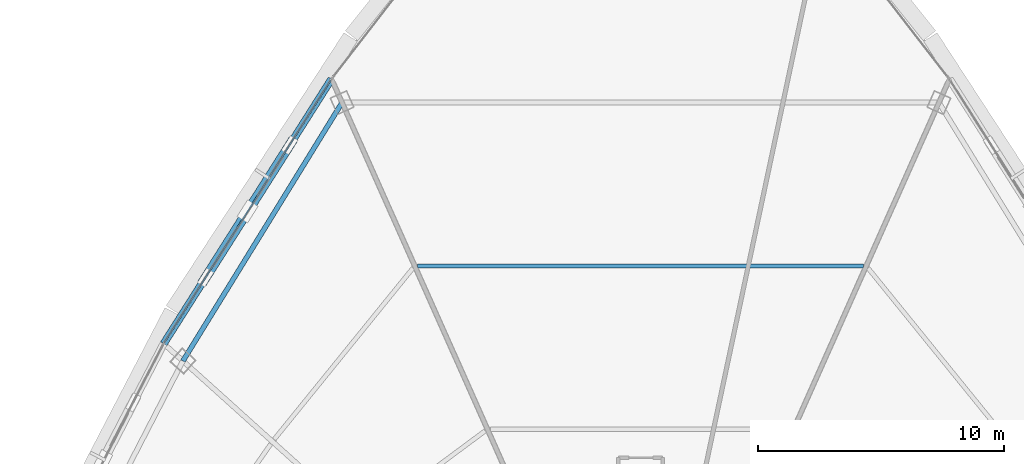
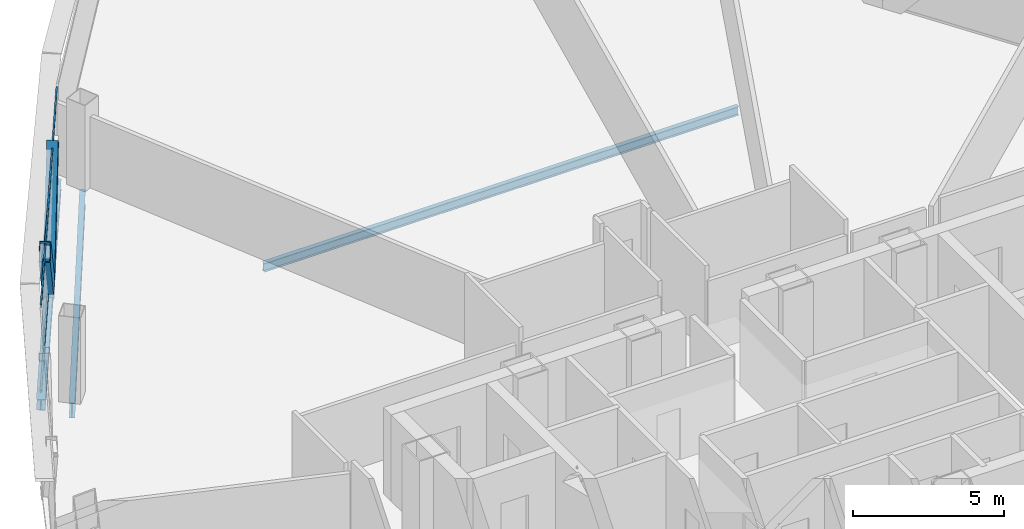
# One storey, part 20 of 33: 4 members, 3 beams, 1 element without a shape of its own.
"""IFC4 building model written with IfcOpenShell, lengths in metres."""

from ifc_helpers import new_model, si_unit, direction, frame, origin, origin_2d, place, context, subcontext, project, spatial, hollow_rectangle, i_section, extrude, source, transform, mapped, material, layer, layer_set, material_profile, profile_set, type_object, element, aggregate, save


model = new_model("IFC4")

# Units and contexts
model_context = context("Model", 3, precision=1e-05, world=origin(), true_north=direction((0.0, 1.0)))
body_context = subcontext(model_context, "Body", "Model", "MODEL_VIEW")
ifc_project = project(units=[si_unit("LENGTHUNIT", "METRE"), si_unit("AREAUNIT", "SQUARE_METRE"), si_unit("VOLUMEUNIT", "CUBIC_METRE"), si_unit("PLANEANGLEUNIT", "RADIAN"), si_unit("MASSUNIT", "GRAM", prefix="KILO"), si_unit("THERMODYNAMICTEMPERATUREUNIT", "KELVIN"), si_unit("POWERUNIT", "WATT")], contexts=[model_context])

# Site, building, storey
site_placement = place(None, origin())
site = spatial("IfcSite", under=ifc_project, at=site_placement, CompositionType="ELEMENT")
building_placement = place(site_placement, origin())
building = spatial("IfcBuilding", under=site, at=building_placement, Name="Yunzhuo Pagoda Commons", CompositionType="ELEMENT")
storey_placement = place(building_placement, frame((0.0, 0.0, 311.1298828125)))
storey = spatial("IfcBuildingStorey", under=building, at=storey_placement, Name="L78", CompositionType="ELEMENT", Elevation=311.1298828125)

# Beams
ifc_material_1 = material(Name="Structural steel Q355B", Category="steel")
ifc_material_profile_1 = material_profile(ifc_material_1, i_section(OverallWidth=0.199951171875, OverallDepth=0.60009765625, WebThickness=0.010986328125, FlangeThickness=0.01708984375, at=origin_2d()), Name="Structural steel Q355B")
ifc_profile_set_1 = profile_set([ifc_material_profile_1], Name="Structural steel Q355B")
beam_type_1 = type_object("IfcBeamType", Name="B-RG3 Beam HN 600x200x11x17", PredefinedType="BEAM", material=ifc_profile_set_1)
shared_shape_1 = source(origin(), body_context, "Body", "SweptSolid", [
    extrude(i_section(OverallWidth=0.199951171875, OverallDepth=0.60009765625, WebThickness=0.010986328125, FlangeThickness=0.01708984375, at=origin_2d()), origin(), (0.0, 0.0, 1.0), 12.315185546875),
])
beam_1_placement = place(storey_placement, frame((35.8857421875, 60.9091796875, -0.559814453125), z_axis=(-0.524469015689, -0.851429534126, 0.0), x_axis=(0.851429534126, -0.524469015689, 0.0)))
element("IfcBeam", 1, at=beam_1_placement, inside=storey, type_object=beam_type_1, Name="L78 column-ring beam 9", PredefinedType="BEAM", context=body_context, shape_type="MappedRepresentation", body=[
    mapped(shared_shape_1, transform((0.0, 0.0, 0.0), scale=1.0)),
])
ifc_material_profile_2 = material_profile(ifc_material_1, i_section(OverallWidth=0.175048828125, OverallDepth=0.35009765625, WebThickness=0.007080078125, FlangeThickness=0.010986328125, at=origin_2d()), Name="Structural steel Q355B")
ifc_profile_set_2 = profile_set([ifc_material_profile_2], Name="Structural steel Q355B")
beam_type_2 = type_object("IfcBeamType", Name="B-JS2 Joist HN 350x175x7x11", PredefinedType="JOIST", material=ifc_profile_set_2)
shared_shape_2 = source(origin(), body_context, "Body", "SweptSolid", [
    extrude(i_section(OverallWidth=0.175048828125, OverallDepth=0.35009765625, WebThickness=0.007080078125, FlangeThickness=0.010986328125, at=origin_2d()), origin(), (0.0, 0.0, 1.0), 18.09765625),
])
beam_2_placement = place(storey_placement, frame((57.048828125, 54.2822265625, -0.434814453125), z_axis=(-1.0, 0.0, 0.0), x_axis=(0.0, -1.0, 0.0)))
element("IfcBeam", 2, at=beam_2_placement, inside=storey, type_object=beam_type_2, Name="L78 composite ring joist 2.8", PredefinedType="JOIST", context=body_context, shape_type="MappedRepresentation", body=[
    mapped(shared_shape_2, transform((0.0, 0.0, 0.0), scale=1.0)),
])
ifc_material_profile_3 = material_profile(ifc_material_1, i_section(OverallWidth=0.300048828125, OverallDepth=0.43994140625, WebThickness=0.010986328125, FlangeThickness=0.01806640625, at=origin_2d()), Name="Structural steel Q355B")
ifc_profile_set_3 = profile_set([ifc_material_profile_3], Name="Structural steel Q355B")
beam_type_3 = type_object("IfcBeamType", Name="B-SP2 Beam HM 440x300x11x18", PredefinedType="BEAM", material=ifc_profile_set_3)
shared_shape_3 = source(origin(), body_context, "Body", "SweptSolid", [
    extrude(i_section(OverallWidth=0.300048828125, OverallDepth=0.43994140625, WebThickness=0.010986328125, FlangeThickness=0.01806640625, at=origin_2d()), origin(), (0.0, 0.0, 1.0), 12.72021484375),
])
beam_3_placement = place(storey_placement, frame((35.45849609375, 61.868408203125, -0.47998046875), z_axis=(-0.535527335228, -0.844517893963, 0.0), x_axis=(0.844517893963, -0.535527335228, 0.0)))
element("IfcBeam", 3, at=beam_3_placement, inside=storey, type_object=beam_type_3, Name="L78 facade edge spandrel beam F3.1", PredefinedType="BEAM", context=body_context, shape_type="MappedRepresentation", body=[
    mapped(shared_shape_3, transform((0.0, 0.0, 0.0), scale=1.0)),
])

# Members
ifc_material_profile_4 = material_profile(ifc_material_1, hollow_rectangle(XDim=0.3798828125, YDim=0.719970703125, WallThickness=0.02001953125, at=origin_2d()), Name="Structural steel Q355B")
ifc_profile_set_4 = profile_set([ifc_material_profile_4], Name="Structural steel Q355B")
member_type_1 = type_object("IfcMemberType", Name="M-DL3 Brace BOX 720x380x20", PredefinedType="BRACE", material=ifc_profile_set_4)
shared_shape_4 = source(origin(), body_context, "Body", "SweptSolid", [
    extrude(hollow_rectangle(XDim=0.3798828125, YDim=0.719970703125, WallThickness=0.02001953125, at=origin_2d()), origin(), (0.0, 0.0, 1.0), 4.90185546875),
])
member_1_placement = place(storey_placement, frame((32.052490234375, 56.49755859375, -0.259765625), z_axis=(-0.347445059444, -0.547963094038, 0.760932571415), x_axis=(0.844539060549, -0.535493954407, 0.0)))
element("IfcMember", 4, at=member_1_placement, inside=storey, type_object=member_type_1, Name="L78 facade diamond brace F3.1R", PredefinedType="BRACE", context=body_context, shape_type="MappedRepresentation", body=[
    mapped(shared_shape_4, transform((0.0, 0.0, 0.0), scale=1.0)),
])
shared_shape_5 = source(origin(), body_context, "Body", "SweptSolid", [
    extrude(hollow_rectangle(XDim=0.3798828125, YDim=0.719970703125, WallThickness=0.02001953125, at=origin_2d()), origin(), (0.0, 0.0, 1.0), 4.9013671875),
])
member_2_placement = place(storey_placement, frame((32.052490234375, 56.49755859375, -0.259765625), z_axis=(0.347473506184, 0.547858528457, 0.760994872057), x_axis=(-0.844473005624, 0.53559811685, 0.0)))
element("IfcMember", 5, at=member_2_placement, inside=storey, type_object=member_type_1, Name="L78 facade diamond brace F3.1L", PredefinedType="BRACE", context=body_context, shape_type="MappedRepresentation", body=[
    mapped(shared_shape_5, transform((0.0, 0.0, 0.0), scale=1.0)),
])

# Curtain wall, members
ifc_material_2 = material(Name="Anodized aluminium 6063-T6", Category="aluminium")
ifc_layer = layer(ifc_material_2, 0.139892578125)
ifc_layer_set = layer_set([ifc_layer], Name="Anodized aluminium 6063-T6")
curtain_wall_type = type_object("IfcCurtainWallType", Name="CW-HI High-Zone Ribbon Curtain Wall", PredefinedType="NOTDEFINED", material=ifc_layer_set)
curtain_wall_placement = place(storey_placement, origin())
curtain_wall = element("IfcCurtainWall", 6, at=curtain_wall_placement, inside=storey, type_object=curtain_wall_type, Name="L78 curtain wall CW-L78-F3B2", PredefinedType="NOTDEFINED")
ifc_material_profile_5 = material_profile(ifc_material_2, hollow_rectangle(XDim=0.054931640625, YDim=0.1201171875, WallThickness=0.00341796875, at=origin_2d()), Name="Anodized aluminium 6063-T6")
ifc_profile_set_5 = profile_set([ifc_material_profile_5], Name="Anodized aluminium 6063-T6")
member_type_2 = type_object("IfcMemberType", Name="CW-HI-T Transom RHS 120x55x3.5", PredefinedType="USERDEFINED", material=ifc_profile_set_5)
shared_shape_6 = source(origin(), body_context, "Body", "SweptSolid", [
    extrude(hollow_rectangle(XDim=0.054931640625, YDim=0.1201171875, WallThickness=0.00341796875, at=origin_2d()), origin(), (0.0, 0.0, 1.0), 12.600341796875),
])
member_3_placement = place(storey_placement, frame((35.426513671875, 61.81787109375, 0.027587890625), z_axis=(-0.535543373516, -0.844507723519, 0.0), x_axis=(0.844507723519, -0.535543373516, 0.0)))
member_3 = element("IfcMember", 7, at=member_3_placement, type_object=member_type_2, Name="CW transom 1.1", ObjectType="TRANSOM", PredefinedType="USERDEFINED", context=body_context, shape_type="MappedRepresentation", body=[
    mapped(shared_shape_6, transform((0.0, 0.0, 0.0), scale=1.0)),
])
member_4_placement = place(storey_placement, frame((35.426513671875, 61.81787109375, 3.442626953125), z_axis=(-0.535543373516, -0.844507723519, 0.0), x_axis=(0.844507723519, -0.535543373516, 0.0)))
member_4 = element("IfcMember", 8, at=member_4_placement, type_object=member_type_2, Name="CW transom 1.2", ObjectType="TRANSOM", PredefinedType="USERDEFINED", context=body_context, shape_type="MappedRepresentation", body=[
    mapped(shared_shape_6, transform((0.0, 0.0, 0.0), scale=1.0)),
])
aggregate(curtain_wall, [member_3, member_4])

save(model, "model.ifc")
